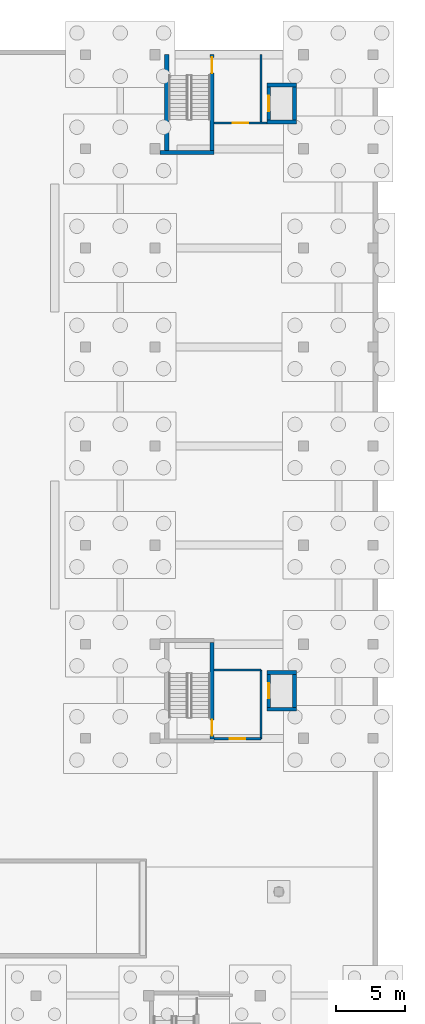
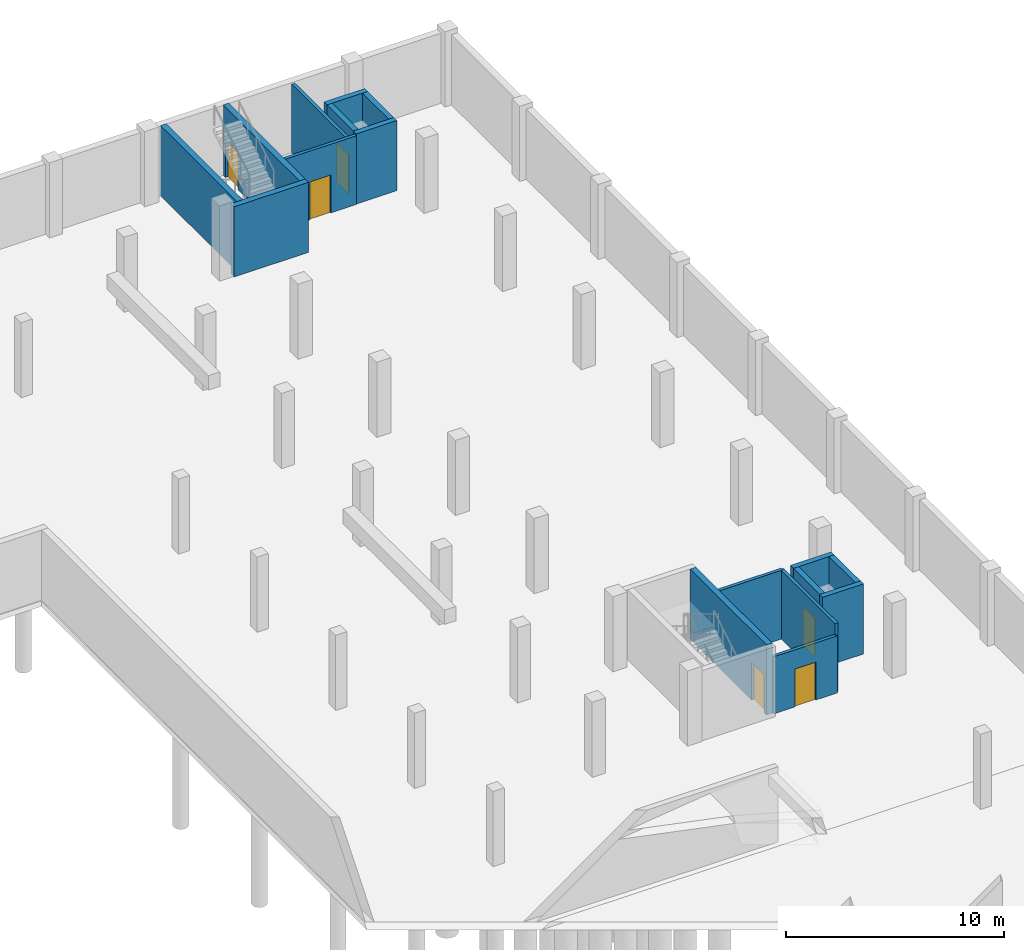
# One storey, part 28 of 36: 17 walls, 6 doors, 6 openings.
"""IFC4 building model written with IfcOpenShell, lengths in metres."""

from ifc_helpers import new_model, si_unit, derived_unit, direction, frame, frame_2d, origin, place, context, subcontext, project, spatial, rectangle, extrude, material, layer, layer_set, type_object, element, fill, save


model = new_model("IFC4")

# Units and contexts
model_context = context("Model", 3, precision=1e-05, world=origin(), true_north=direction((0.0, 1.0)))
body_context = subcontext(model_context, "Body", "Model", "MODEL_VIEW")
ifc_project = project(units=[si_unit("LENGTHUNIT", "METRE"), si_unit("AREAUNIT", "SQUARE_METRE"), si_unit("VOLUMEUNIT", "CUBIC_METRE"), si_unit("PLANEANGLEUNIT", "RADIAN"), si_unit("MASSUNIT", "GRAM", prefix="KILO"), derived_unit("THERMALTRANSMITTANCEUNIT", [(si_unit("MASSUNIT", "GRAM", prefix="KILO"), 1), (si_unit("TIMEUNIT", "SECOND"), -3), (si_unit("THERMODYNAMICTEMPERATUREUNIT", "KELVIN"), -1)])], contexts=[model_context])

# Site, building, storey
site_placement = place(None, origin())
site = spatial("IfcSite", under=ifc_project, at=site_placement, CompositionType="ELEMENT")
building_placement = place(site_placement, origin())
building = spatial("IfcBuilding", under=site, at=building_placement, Name="Ochrekiln Boulevard Commons", CompositionType="ELEMENT")
storey_placement = place(building_placement, frame((0.0, 0.0, -4.199951171875)))
storey = spatial("IfcBuildingStorey", under=building, at=storey_placement, Name="B1", CompositionType="ELEMENT", Elevation=-4.199951171875)

# Wall, opening, door
ifc_material_1 = material(Name="Fire-rated Type X gypsum board on steel studs", Category="steel")
ifc_layer_1 = layer(ifc_material_1, 0.169921875)
ifc_layer_set_1 = layer_set([ifc_layer_1], Name="Fire-rated Type X gypsum board on steel studs")
wall_type_1 = type_object("IfcWallType", Name="WL-PT-CIV-170", PredefinedType="PARTITIONING", material=ifc_layer_set_1)
wall_1_placement = place(storey_placement, frame((160.89990234375, 68.719970703125, 0.0), z_axis=(0.0, 0.0, 1.0), x_axis=(1.0, 0.0, 0.0)))
wall_1 = element("IfcWall", 1, at=wall_1_placement, inside=storey, type_object=wall_type_1, Name="B1 Interior Wall W-PV170", PredefinedType="PARTITIONING", context=body_context, shape_type="SweptSolid", body=[
    extrude(rectangle(XDim=3.400146484375, YDim=0.169921875, at=frame_2d((1.7001953125, 0.0))), origin(), (0.0, 0.0, 1.0), 3.18994140625),
])
opening_1_placement = place(wall_1_placement, frame((1.14990234375, 0.0, 0.0)))
opening_1 = element("IfcOpeningElement", 2, at=opening_1_placement, cuts=wall_1, Name="Opening D-B1-1384", PredefinedType="OPENING", context=body_context, shape_type="SweptSolid", body=[
    extrude(rectangle(XDim=1.10009765625, YDim=2.1201171875, at=frame_2d((0.550048828125, 1.06005859375))), frame((0.0, 0.094970703125, 0.0), z_axis=(0.0, -1.0, 0.0), x_axis=(1.0, 0.0, 0.0)), (0.0, 0.0, 1.0), 0.18994140625),
])
ifc_material_2 = material(Name="Hollow metal fire-rated steel door assembly", Category="steel")
door_type_1 = type_object("IfcDoorType", Name="DR-LOBBY-60", OperationType="NOTDEFINED", PredefinedType="DOOR", material=ifc_material_2)
door_1_placement = place(opening_1_placement, origin())
door_1 = element("IfcDoor", 3, at=door_1_placement, inside=storey, type_object=door_type_1, Name="B1 Interior Door to Fire Service Access Elevator Lobby", OperationType="SINGLE_SWING_RIGHT", OverallHeight=2.1201171875, OverallWidth=1.10009765625, PredefinedType="DOOR", context=body_context, shape_type="SweptSolid", body=[
    extrude(rectangle(XDim=1.10009765625, YDim=2.1201171875, at=frame_2d((0.550048828125, 1.06005859375))), frame((0.0, 0.02490234375, 0.0), z_axis=(0.0, -1.0, 0.0), x_axis=(1.0, 0.0, 0.0)), (0.0, 0.0, 1.0), 0.050048828125),
])
fill(opening_1, door_1)

# Walls
wall_2_placement = place(storey_placement, frame((160.89990234375, 73.719970703125, 0.0), z_axis=(0.0, 0.0, 1.0), x_axis=(1.0, 0.0, 0.0)))
element("IfcWall", 4, at=wall_2_placement, inside=storey, type_object=wall_type_1, Name="B1 Interior Wall W-PV170", PredefinedType="PARTITIONING", context=body_context, shape_type="SweptSolid", body=[
    extrude(rectangle(XDim=3.400146484375, YDim=0.169921875, at=frame_2d((1.7001953125, 0.0))), origin(), (0.0, 0.0, 1.0), 3.83984375),
])
wall_3_placement = place(storey_placement, frame((164.300048828125, 68.719970703125, 0.0), z_axis=(0.0, 0.0, 1.0), x_axis=(0.0, 1.0, 0.0)))
element("IfcWall", 5, at=wall_3_placement, inside=storey, type_object=wall_type_1, Name="B1 Interior Wall W-PV170", PredefinedType="PARTITIONING", context=body_context, shape_type="SweptSolid", body=[
    extrude(rectangle(XDim=5.0, YDim=0.169921875, at=frame_2d((2.5, 0.0))), origin(), (0.0, 0.0, 1.0), 3.83984375),
])

# Wall, opening, door
wall_4_placement = place(storey_placement, frame((160.89990234375, 113.47998046875, 0.0), z_axis=(0.0, 0.0, 1.0), x_axis=(1.0, 0.0, 0.0)))
wall_4 = element("IfcWall", 6, at=wall_4_placement, inside=storey, type_object=wall_type_1, Name="B1 Interior Wall W-PV170", PredefinedType="PARTITIONING", context=body_context, shape_type="SweptSolid", body=[
    extrude(rectangle(XDim=3.8251953125, YDim=0.169921875, at=frame_2d((1.91259765625, 0.0))), origin(), (0.0, 0.0, 1.0), 3.83984375),
])
opening_2_placement = place(wall_4_placement, frame((1.362060546875, 0.0, 0.0)))
opening_2 = element("IfcOpeningElement", 7, at=opening_2_placement, cuts=wall_4, Name="Opening D-B1-1385", PredefinedType="OPENING", context=body_context, shape_type="SweptSolid", body=[
    extrude(rectangle(XDim=1.10009765625, YDim=2.1201171875, at=frame_2d((0.550048828125, 1.06005859375))), frame((0.0, 0.094970703125, 0.0), z_axis=(0.0, -1.0, 0.0), x_axis=(1.0, 0.0, 0.0)), (0.0, 0.0, 1.0), 0.18994140625),
])
door_2_placement = place(opening_2_placement, origin())
door_2 = element("IfcDoor", 8, at=door_2_placement, inside=storey, type_object=door_type_1, Name="B1 Interior Door to Fire Service Access Elevator Lobby", OperationType="SINGLE_SWING_LEFT", OverallHeight=2.1201171875, OverallWidth=1.10009765625, PredefinedType="DOOR", context=body_context, shape_type="SweptSolid", body=[
    extrude(rectangle(XDim=1.10009765625, YDim=2.1201171875, at=frame_2d((0.550048828125, 1.06005859375))), frame((0.0, 0.02490234375, 0.0), z_axis=(0.0, -1.0, 0.0), x_axis=(1.0, 0.0, 0.0)), (0.0, 0.0, 1.0), 0.050048828125),
])
fill(opening_2, door_2)

# Walls
wall_5_placement = place(storey_placement, frame((164.300048828125, 113.47998046875, 0.0), z_axis=(0.0, 0.0, 1.0), x_axis=(0.0, 1.0, 0.0)))
element("IfcWall", 9, at=wall_5_placement, inside=storey, type_object=wall_type_1, Name="B1 Interior Wall W-PV170", PredefinedType="PARTITIONING", context=body_context, shape_type="SweptSolid", body=[
    extrude(rectangle(XDim=5.0, YDim=0.169921875, at=frame_2d((2.5, 0.0))), origin(), (0.0, 0.0, 1.0), 3.83984375),
])
ifc_material_3 = material(Name="Concrete C40/50", Category="concrete")
ifc_layer_2 = layer(ifc_material_3, 0.27490234375)
ifc_layer_set_2 = layer_set([ifc_layer_2], Name="Concrete C40/50")
wall_type_2 = type_object("IfcWallType", Name="WL-SH-275", PredefinedType="SHEAR", material=ifc_layer_set_2)
for number, where, z_axis, x_axis, name in (
    (10, (164.72509765625, 70.862548828125, 0.0), (0.0, 0.0, 1.0), (1.0, 0.0, 0.0), "Elevator FF-B1 B1 Hoistway Shear Wall"),
    (11, (164.72509765625, 73.53759765625, 0.0), (0.0, 0.0, 1.0), (1.0, 0.0, 0.0), "Elevator FF-B1 B1 Hoistway Shear Wall"),
):
    element("IfcWall", number, at=place(storey_placement, frame(where, z_axis=z_axis, x_axis=x_axis)), inside=storey, type_object=wall_type_2, Name=name, PredefinedType="SHEAR", context=body_context, shape_type="SweptSolid", body=[
        extrude(rectangle(XDim=2.14990234375, YDim=0.27490234375, at=frame_2d((1.074951171875, 0.0))), origin(), (0.0, 0.0, 1.0), 3.919921875),
    ])

# Wall, opening, door
wall_6_placement = place(storey_placement, frame((164.862548828125, 71.0, 0.0), z_axis=(0.0, 0.0, 1.0), x_axis=(0.0, 1.0, 0.0)))
wall_6 = element("IfcWall", 12, at=wall_6_placement, inside=storey, type_object=wall_type_2, Name="Elevator FF-B1 B1 Hoistway Shear Wall", PredefinedType="SHEAR", context=body_context, shape_type="SweptSolid", body=[
    extrude(rectangle(XDim=2.39990234375, YDim=0.27490234375, at=frame_2d((1.199951171875, 0.0))), origin(), (0.0, 0.0, 1.0), 3.919921875),
])
opening_3_placement = place(wall_6_placement, frame((0.64990234375, 0.0, 0.0)))
opening_3 = element("IfcOpeningElement", 13, at=opening_3_placement, cuts=wall_6, Name="Opening LD-FF-B1-B1", PredefinedType="OPENING", context=body_context, shape_type="SweptSolid", body=[
    extrude(rectangle(XDim=1.10009765625, YDim=2.14990234375, at=frame_2d((0.550048828125, 1.074951171875))), frame((0.0, 0.1474609375, 0.0), z_axis=(0.0, -1.0, 0.0), x_axis=(1.0, 0.0, 0.0)), (0.0, 0.0, 1.0), 0.294921875),
])
ifc_material_4 = material(Name="Brushed stainless steel 316 elevator cab and doors", Category="steel")
door_type_2 = type_object("IfcDoorType", Name="DR-LIFT-LD90", OperationType="SLIDING_TO_LEFT", PredefinedType="DOOR", material=ifc_material_4)
door_3_placement = place(opening_3_placement, origin())
door_3 = element("IfcDoor", 14, at=door_3_placement, inside=storey, type_object=door_type_2, Name="Elevator FF-B1 B1 Sliding Landing Door LD-FF-B1-B1", OperationType="SLIDING_TO_LEFT", OverallHeight=2.14990234375, OverallWidth=1.10009765625, PredefinedType="DOOR", context=body_context, shape_type="SweptSolid", body=[
    extrude(rectangle(XDim=1.10009765625, YDim=2.14990234375, at=frame_2d((0.550048828125, 1.074951171875))), frame((0.0, 0.02490234375, 0.0), z_axis=(0.0, -1.0, 0.0), x_axis=(1.0, 0.0, 0.0)), (0.0, 0.0, 1.0), 0.050048828125),
])
fill(opening_3, door_3)

# Walls
wall_7_placement = place(storey_placement, frame((166.737548828125, 71.0, 0.0), z_axis=(0.0, 0.0, 1.0), x_axis=(0.0, 1.0, 0.0)))
element("IfcWall", 15, at=wall_7_placement, inside=storey, type_object=wall_type_2, Name="Elevator FF-B1 B1 Hoistway Shear Wall", PredefinedType="SHEAR", context=body_context, shape_type="SweptSolid", body=[
    extrude(rectangle(XDim=2.39990234375, YDim=0.27490234375, at=frame_2d((1.199951171875, 0.0))), origin(), (0.0, 0.0, 1.0), 3.919921875),
])
for number, where, z_axis, x_axis, name in (
    (16, (164.72509765625, 113.5625, 0.0), (0.0, 0.0, 1.0), (1.0, 0.0, 0.0), "Elevator FF-B2 B1 Hoistway Shear Wall"),
    (17, (164.72509765625, 116.237548828125, 0.0), (0.0, 0.0, 1.0), (1.0, 0.0, 0.0), "Elevator FF-B2 B1 Hoistway Shear Wall"),
):
    element("IfcWall", number, at=place(storey_placement, frame(where, z_axis=z_axis, x_axis=x_axis)), inside=storey, type_object=wall_type_2, Name=name, PredefinedType="SHEAR", context=body_context, shape_type="SweptSolid", body=[
        extrude(rectangle(XDim=2.14990234375, YDim=0.27490234375, at=frame_2d((1.074951171875, 0.0))), origin(), (0.0, 0.0, 1.0), 3.919921875),
    ])

# Wall, opening, door
wall_8_placement = place(storey_placement, frame((164.862548828125, 113.699951171875, 0.0), z_axis=(0.0, 0.0, 1.0), x_axis=(0.0, 1.0, 0.0)))
wall_8 = element("IfcWall", 18, at=wall_8_placement, inside=storey, type_object=wall_type_2, Name="Elevator FF-B2 B1 Hoistway Shear Wall", PredefinedType="SHEAR", context=body_context, shape_type="SweptSolid", body=[
    extrude(rectangle(XDim=2.400146484375, YDim=0.27490234375, at=frame_2d((1.2001953125, 0.0))), origin(), (0.0, 0.0, 1.0), 3.919921875),
])
opening_4_placement = place(wall_8_placement, frame((0.64990234375, 0.0, 0.0)))
opening_4 = element("IfcOpeningElement", 19, at=opening_4_placement, cuts=wall_8, Name="Opening LD-FF-B2-B1", PredefinedType="OPENING", context=body_context, shape_type="SweptSolid", body=[
    extrude(rectangle(XDim=1.10009765625, YDim=2.14990234375, at=frame_2d((0.550048828125, 1.074951171875))), frame((0.0, 0.1474609375, 0.0), z_axis=(0.0, -1.0, 0.0), x_axis=(1.0, 0.0, 0.0)), (0.0, 0.0, 1.0), 0.294921875),
])
door_4_placement = place(opening_4_placement, origin())
door_4 = element("IfcDoor", 20, at=door_4_placement, inside=storey, type_object=door_type_2, Name="Elevator FF-B2 B1 Sliding Landing Door LD-FF-B2-B1", OperationType="SLIDING_TO_LEFT", OverallHeight=2.14990234375, OverallWidth=1.10009765625, PredefinedType="DOOR", context=body_context, shape_type="SweptSolid", body=[
    extrude(rectangle(XDim=1.10009765625, YDim=2.14990234375, at=frame_2d((0.550048828125, 1.074951171875))), frame((0.0, 0.02490234375, 0.0), z_axis=(0.0, -1.0, 0.0), x_axis=(1.0, 0.0, 0.0)), (0.0, 0.0, 1.0), 0.050048828125),
])
fill(opening_4, door_4)

# Wall
wall_9_placement = place(storey_placement, frame((166.737548828125, 113.699951171875, 0.0), z_axis=(0.0, 0.0, 1.0), x_axis=(0.0, 1.0, 0.0)))
element("IfcWall", 21, at=wall_9_placement, inside=storey, type_object=wall_type_2, Name="Elevator FF-B2 B1 Hoistway Shear Wall", PredefinedType="SHEAR", context=body_context, shape_type="SweptSolid", body=[
    extrude(rectangle(XDim=2.400146484375, YDim=0.27490234375, at=frame_2d((1.2001953125, 0.0))), origin(), (0.0, 0.0, 1.0), 3.919921875),
])

# Wall, opening, door
ifc_layer_3 = layer(ifc_material_3, 0.300048828125)
ifc_layer_set_3 = layer_set([ifc_layer_3], Name="Concrete C40/50")
wall_type_3 = type_object("IfcWallType", Name="WL-SH-300", PredefinedType="SHEAR", material=ifc_layer_set_3)
wall_10_placement = place(storey_placement, frame((160.75, 68.719970703125, 0.0), z_axis=(0.0, 0.0, 1.0), x_axis=(0.0, 1.0, 0.0)))
wall_10 = element("IfcWall", 22, at=wall_10_placement, inside=storey, type_object=wall_type_3, Name="Stair ST-B1 B1 Core Shear Wall E", PredefinedType="SHEAR", context=body_context, shape_type="SweptSolid", body=[
    extrude(rectangle(XDim=7.0, YDim=0.300048828125, at=frame_2d((3.5, 0.0))), origin(), (0.0, 0.0, 1.0), 3.919921875),
])
opening_5_placement = place(wall_10_placement, frame((0.22509765625, 0.0, 0.0)))
opening_5 = element("IfcOpeningElement", 23, at=opening_5_placement, cuts=wall_10, Name="Opening D-B1-ST-B1", PredefinedType="OPENING", context=body_context, shape_type="SweptSolid", body=[
    extrude(rectangle(XDim=1.14990234375, YDim=2.1201171875, at=frame_2d((0.574951171875, 1.06005859375))), frame((0.0, 0.159912109375, 0.0), z_axis=(0.0, -1.0, 0.0), x_axis=(1.0, 0.0, 0.0)), (0.0, 0.0, 1.0), 0.320068359375),
])
door_type_3 = type_object("IfcDoorType", Name="DR-STAIR-90", OperationType="NOTDEFINED", PredefinedType="DOOR", material=ifc_material_2)
door_5_placement = place(opening_5_placement, origin())
door_5 = element("IfcDoor", 24, at=door_5_placement, inside=storey, type_object=door_type_3, Name="Enclosed Exit Stair ST-B1 B1 Rated Door", OperationType="SINGLE_SWING_LEFT", OverallHeight=2.1201171875, OverallWidth=1.14990234375, PredefinedType="DOOR", context=body_context, shape_type="SweptSolid", body=[
    extrude(rectangle(XDim=1.14990234375, YDim=2.1201171875, at=frame_2d((0.574951171875, 1.06005859375))), frame((0.0, 0.02490234375, 0.0), z_axis=(0.0, -1.0, 0.0), x_axis=(1.0, 0.0, 0.0)), (0.0, 0.0, 1.0), 0.050048828125),
])
fill(opening_5, door_5)

# Walls
wall_11_placement = place(storey_placement, frame((156.97509765625, 111.330078125, 0.0), z_axis=(0.0, 0.0, 1.0), x_axis=(1.0, 0.0, 0.0)))
element("IfcWall", 25, at=wall_11_placement, inside=storey, type_object=wall_type_3, Name="Stair ST-B2 B1 Core Shear Wall S", PredefinedType="SHEAR", context=body_context, shape_type="SweptSolid", body=[
    extrude(rectangle(XDim=3.9248046875, YDim=0.300048828125, at=frame_2d((1.96240234375, 0.0))), origin(), (0.0, 0.0, 1.0), 3.919921875),
])
wall_12_placement = place(storey_placement, frame((157.449951171875, 111.47998046875, 0.0), z_axis=(0.0, 0.0, 1.0), x_axis=(0.0, 1.0, 0.0)))
element("IfcWall", 26, at=wall_12_placement, inside=storey, type_object=wall_type_3, Name="Stair ST-B2 B1 Core Shear Wall W", PredefinedType="SHEAR", context=body_context, shape_type="SweptSolid", body=[
    extrude(rectangle(XDim=7.0, YDim=0.300048828125, at=frame_2d((3.5, 0.0))), origin(), (0.0, 0.0, 1.0), 3.919921875),
])

# Wall, opening, door
wall_13_placement = place(storey_placement, frame((160.75, 111.47998046875, 0.0), z_axis=(0.0, 0.0, 1.0), x_axis=(0.0, 1.0, 0.0)))
wall_13 = element("IfcWall", 27, at=wall_13_placement, inside=storey, type_object=wall_type_3, Name="Stair ST-B2 B1 Core Shear Wall E", PredefinedType="SHEAR", context=body_context, shape_type="SweptSolid", body=[
    extrude(rectangle(XDim=7.0, YDim=0.300048828125, at=frame_2d((3.5, 0.0))), origin(), (0.0, 0.0, 1.0), 3.919921875),
])
opening_6_placement = place(wall_13_placement, frame((5.625, 0.0, 0.0)))
opening_6 = element("IfcOpeningElement", 28, at=opening_6_placement, cuts=wall_13, Name="Opening D-B1-ST-B2", PredefinedType="OPENING", context=body_context, shape_type="SweptSolid", body=[
    extrude(rectangle(XDim=1.14990234375, YDim=2.1201171875, at=frame_2d((0.574951171875, 1.06005859375))), frame((0.0, 0.159912109375, 0.0), z_axis=(0.0, -1.0, 0.0), x_axis=(1.0, 0.0, 0.0)), (0.0, 0.0, 1.0), 0.320068359375),
])
door_6_placement = place(opening_6_placement, origin())
door_6 = element("IfcDoor", 29, at=door_6_placement, inside=storey, type_object=door_type_3, Name="Enclosed Exit Stair ST-B2 B1 Rated Door", OperationType="SINGLE_SWING_LEFT", OverallHeight=2.1201171875, OverallWidth=1.14990234375, PredefinedType="DOOR", context=body_context, shape_type="SweptSolid", body=[
    extrude(rectangle(XDim=1.14990234375, YDim=2.1201171875, at=frame_2d((0.574951171875, 1.06005859375))), frame((0.0, 0.02490234375, 0.0), z_axis=(0.0, -1.0, 0.0), x_axis=(1.0, 0.0, 0.0)), (0.0, 0.0, 1.0), 0.050048828125),
])
fill(opening_6, door_6)

save(model, "model.ifc")
